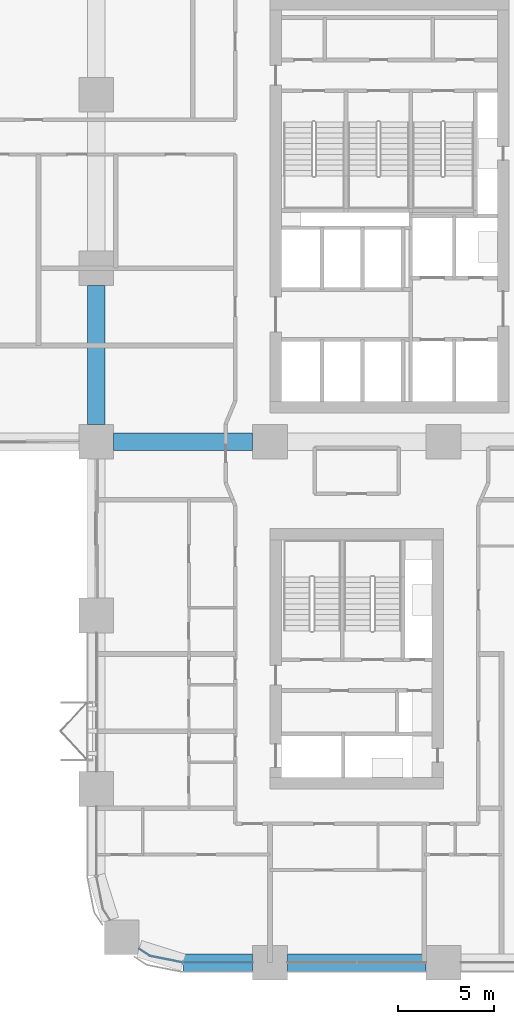
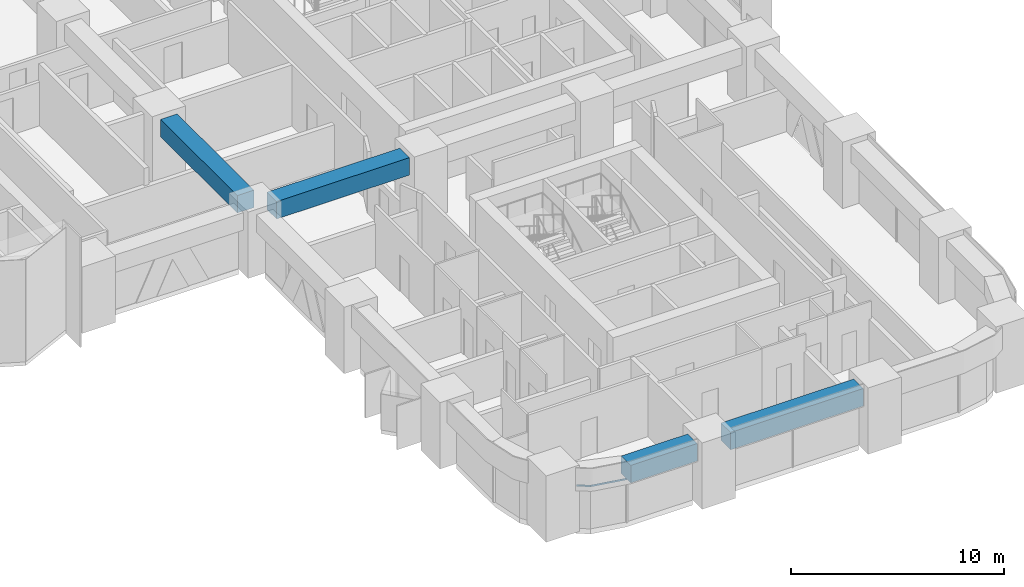
# One storey, part 4 of 24: 4 beams, 1 member, 1 element without a shape of its own.
"""IFC4 building model written with IfcOpenShell, lengths in metres."""

from ifc_helpers import new_model, si_unit, direction, frame, origin, origin_2d, place, context, subcontext, project, spatial, polyline, rectangle, outline, extrude, material, material_profile, profile_set, type_object, element, aggregate, save


model = new_model("IFC4")

# Units and contexts
model_context = context("Model", 3, precision=1e-05, world=origin(), true_north=direction((0.0, 1.0)))
body_context = subcontext(model_context, "Body", "Model", "MODEL_VIEW")
ifc_project = project(units=[si_unit("LENGTHUNIT", "METRE"), si_unit("AREAUNIT", "SQUARE_METRE"), si_unit("VOLUMEUNIT", "CUBIC_METRE"), si_unit("PLANEANGLEUNIT", "RADIAN"), si_unit("MASSUNIT", "GRAM", prefix="KILO")], contexts=[model_context])

# Site, building, storey
site_placement = place(None, origin())
site = spatial("IfcSite", under=ifc_project, at=site_placement, CompositionType="ELEMENT")
building_placement = place(site_placement, origin())
building = spatial("IfcBuilding", under=site, at=building_placement, Name="Tessera Arch", CompositionType="ELEMENT")
storey_placement = place(building_placement, frame((0.0, 0.0, 81.60009765625)))
storey = spatial("IfcBuildingStorey", under=building, at=storey_placement, Name="L18", CompositionType="ELEMENT", Elevation=81.60009765625)

# Curtain wall, member
ifc_material_1 = material(Name="CW2 curtain wall")
curtain_wall_type = type_object("IfcCurtainWallType", Name="CW2 curtain wall", PredefinedType="NOTDEFINED", material=ifc_material_1)
curtain_wall_placement = place(storey_placement, origin())
curtain_wall = element("IfcCurtainWall", 1, at=curtain_wall_placement, inside=storey, type_object=curtain_wall_type, Name="CW2 curtain wall S0.27/0 L18", PredefinedType="NOTDEFINED")
ifc_material_2 = material(Name="Anodised aluminium pale metal", Category="aluminium")
ifc_material_profile_1 = material_profile(ifc_material_2, rectangle(XDim=0.199951171875, YDim=0.10009765625, at=origin_2d()), Name="AL 200x100")
ifc_profile_set_1 = profile_set([ifc_material_profile_1], Name="Anodised aluminium pale metal")
member_type = type_object("IfcMemberType", Name="CW2 transom", PredefinedType="USERDEFINED", material=ifc_profile_set_1)
member_placement = place(storey_placement, frame((0.0, 0.0, 2.39990234375)))
member = element("IfcMember", 2, at=member_placement, type_object=member_type, Name="CW2 transom S0.27/0 1", ObjectType="TRANSOM", PredefinedType="USERDEFINED", context=body_context, shape_type="SweptSolid", body=[
    extrude(outline(polyline([(29.78173828125, 0.351806640625), (29.2236328125, 0.72509765625), (29.21240234375, 0.70849609375), (29.77392578125, 0.3330078125), (31.4990234375, -0.010009765625), (35.10009765625, -0.010009765625), (35.10009765625, 0.010009765625), (31.5009765625, 0.010009765625), (29.78173828125, 0.351806640625)])), origin(), (0.0, 0.0, 1.0), 0.10009765625),
])
aggregate(curtain_wall, [member])

# Beams
ifc_material_3 = material(Name="Concrete C80/95", Category="concrete")
ifc_material_profile_2 = material_profile(ifc_material_3, rectangle(XDim=0.89990234375, YDim=1.0, at=origin_2d()), Name="RC spandrel beam 900 x 1000 Concrete C80/95")
ifc_profile_set_2 = profile_set([ifc_material_profile_2], Name="Concrete C80/95")
beam_type = type_object("IfcBeamType", Name="RC spandrel beam 900 x 1000 Concrete C80/95", PredefinedType="BEAM", material=ifc_profile_set_2)
beam_placement = place(storey_placement, frame((31.5, 0.0, 3.0), z_axis=(1.0, 0.0, 0.0), x_axis=(0.0, 1.0, 0.0)))
element("IfcBeam", 3, at=beam_placement, inside=storey, type_object=beam_type, Name="Spandrel beam L18 S0.27/0.2", PredefinedType="BEAM", context=body_context, shape_type="SweptSolid", body=[
    extrude(rectangle(XDim=0.89990234375, YDim=1.0, at=origin_2d()), origin(), (0.0, 0.0, 1.0), 3.60009765625),
])
for number, where, z_axis, x_axis, name in (
    (4, (36.89990234375, 0.0, 3.0), (1.0, 0.0, 0.0), (0.0, 1.0, 0.0), "Spandrel beam L18 S0.27/1"),
    (5, (27.0, 27.89990234375, 3.0), (0.0, 1.0, 0.0), (-1.0, 0.0, 0.0), "Interface beam L18 I0C4D-C4E"),
    (6, (27.89990234375, 27.0, 3.0), (1.0, 0.0, 0.0), (0.0, 1.0, 0.0), "Interface beam L18 I1C4D-C5D"),
):
    element("IfcBeam", number, at=place(storey_placement, frame(where, z_axis=z_axis, x_axis=x_axis)), inside=storey, type_object=beam_type, Name=name, PredefinedType="BEAM", context=body_context, shape_type="SweptSolid", body=[
        extrude(rectangle(XDim=0.89990234375, YDim=1.0, at=origin_2d()), origin(), (0.0, 0.0, 1.0), 7.2001953125),
    ])

save(model, "model.ifc")
